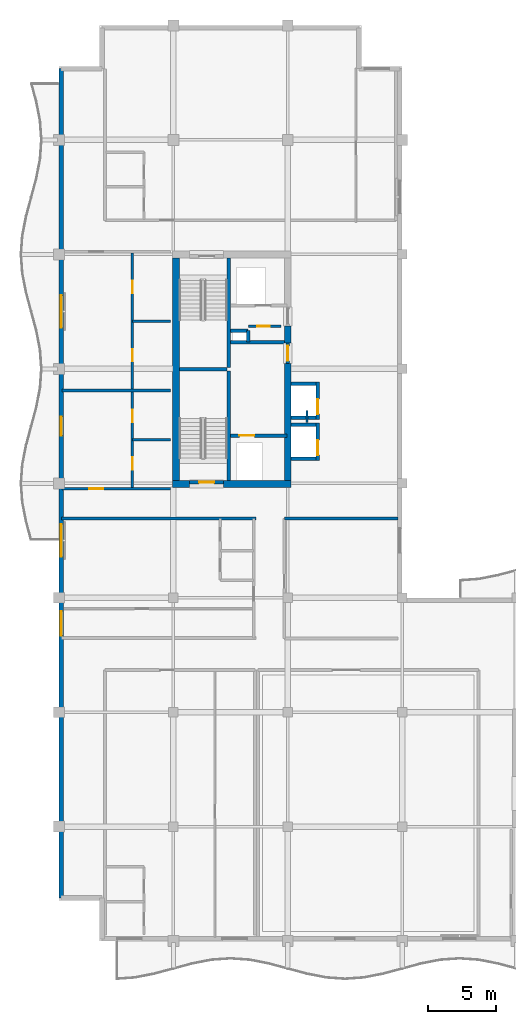
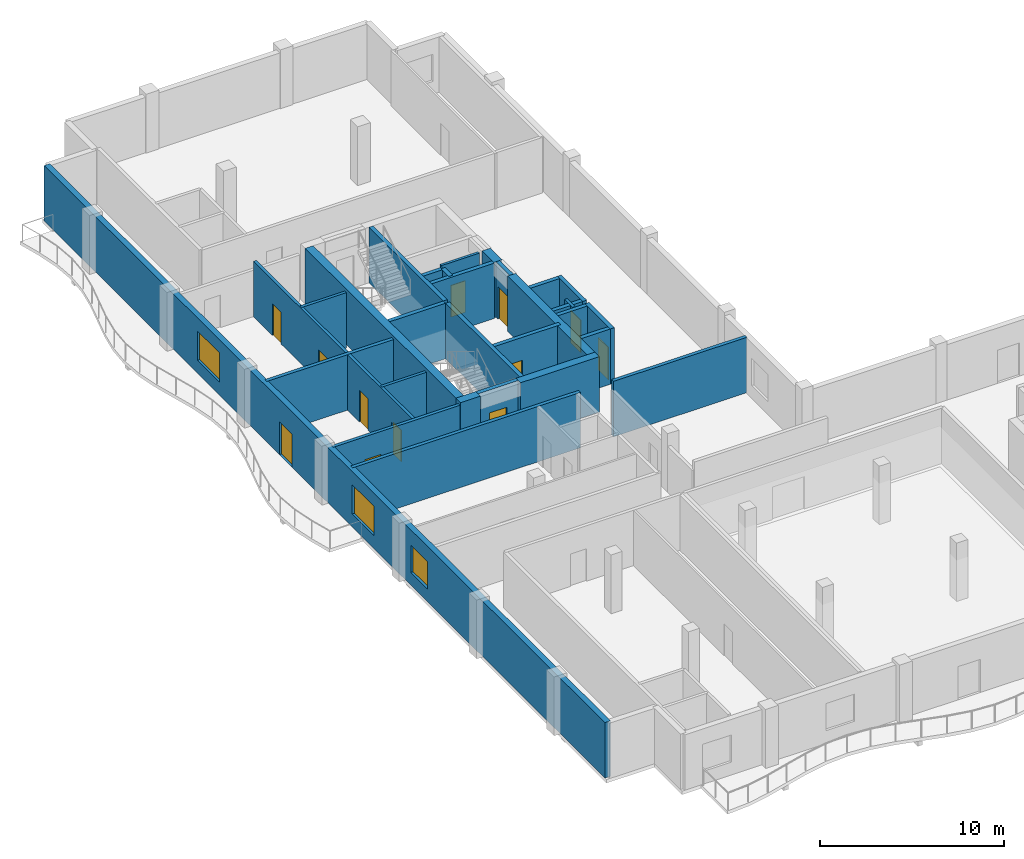
# One storey, part 8 of 14: 31 walls, 12 doors, 3 windows, 15 openings.
"""IFC4 building model written with IfcOpenShell, lengths in metres."""

from ifc_helpers import new_model, si_unit, direction, frame, frame_2d, origin, place, context, subcontext, project, spatial, rectangle, extrude, material, layer, layer_set, type_object, element, fill, save


model = new_model("IFC4")

# Units and contexts
model_context = context("Model", 3, precision=1e-05, world=origin(), true_north=direction((0.0, 1.0)))
body_context = subcontext(model_context, "Body", "Model", "MODEL_VIEW")
ifc_project = project(units=[si_unit("LENGTHUNIT", "METRE"), si_unit("AREAUNIT", "SQUARE_METRE"), si_unit("VOLUMEUNIT", "CUBIC_METRE"), si_unit("PLANEANGLEUNIT", "RADIAN"), si_unit("MASSUNIT", "GRAM", prefix="KILO")], contexts=[model_context])

# Site, building, storey
site_placement = place(None, origin())
site = spatial("IfcSite", under=ifc_project, at=site_placement, CompositionType="ELEMENT")
building_placement = place(site_placement, origin())
building = spatial("IfcBuilding", under=site, at=building_placement, Name="Koriwani Terraces Tower", CompositionType="ELEMENT")
storey_placement = place(building_placement, frame((0.0, 0.0, 339.800048828125)))
storey = spatial("IfcBuildingStorey", under=building, at=storey_placement, Name="L84", CompositionType="ELEMENT", Elevation=339.800048828125)

# Walls
ifc_material_1 = material(Name="Concrete C50/60", Category="concrete")
ifc_layer_1 = layer(ifc_material_1, 0.5, Name="Concrete C50/60")
ifc_layer_set_1 = layer_set([ifc_layer_1], Name="Concrete C50/60")
wall_type_1 = type_object("IfcWallType", Name="WALL_CORE_RC_500", PredefinedType="SHEAR", material=ifc_layer_set_1)
wall_1_placement = place(storey_placement, frame((16.75, 41.949951171875, 0.0), z_axis=(0.0, 0.0, 1.0), x_axis=(1.0, 0.0, 0.0)))
element("IfcWall", 1, at=wall_1_placement, inside=storey, type_object=wall_type_1, Name="L84 West Split Core Shear Wall S1", PredefinedType="SHEAR", context=body_context, shape_type="SweptSolid", body=[
    extrude(rectangle(XDim=1.25, YDim=0.5, at=frame_2d((0.625, 0.0))), origin(), (0.0, 0.0, 1.0), 3.669921875),
])
wall_2_placement = place(storey_placement, frame((20.5, 41.949951171875, 0.0), z_axis=(0.0, 0.0, 1.0), x_axis=(1.0, 0.0, 0.0)))
element("IfcWall", 2, at=wall_2_placement, inside=storey, type_object=wall_type_1, Name="L84 West Split Core Shear Wall S2", PredefinedType="SHEAR", context=body_context, shape_type="SweptSolid", body=[
    extrude(rectangle(XDim=4.949951171875, YDim=0.5, at=frame_2d((2.47509765625, 0.0))), origin(), (0.0, 0.0, 1.0), 3.669921875),
])
wall_3_placement = place(storey_placement, frame((17.0, 42.199951171875, 0.0), z_axis=(0.0, 0.0, 1.0), x_axis=(0.0, 1.0, 0.0)))
element("IfcWall", 3, at=wall_3_placement, inside=storey, type_object=wall_type_1, Name="L84 West Split Core Shear Wall W1", PredefinedType="SHEAR", context=body_context, shape_type="SweptSolid", body=[
    extrude(rectangle(XDim=16.35009765625, YDim=0.5, at=frame_2d((8.175048828125, 0.0))), origin(), (0.0, 0.0, 1.0), 3.669921875),
])
wall_4_placement = place(storey_placement, frame((25.199951171875, 42.199951171875, 0.0), z_axis=(0.0, 0.0, 1.0), x_axis=(0.0, 1.0, 0.0)))
element("IfcWall", 4, at=wall_4_placement, inside=storey, type_object=wall_type_1, Name="L84 West Split Core Shear Wall E1", PredefinedType="SHEAR", context=body_context, shape_type="SweptSolid", body=[
    extrude(rectangle(XDim=8.60009765625, YDim=0.5, at=frame_2d((4.300048828125, 0.0))), origin(), (0.0, 0.0, 1.0), 3.669921875),
])
wall_5_placement = place(storey_placement, frame((25.199951171875, 52.280029296875, 0.0), z_axis=(0.0, 0.0, 1.0), x_axis=(0.0, 1.0, 0.0)))
element("IfcWall", 5, at=wall_5_placement, inside=storey, type_object=wall_type_1, Name="L84 West Split Core Shear Wall E2", PredefinedType="SHEAR", context=body_context, shape_type="SweptSolid", body=[
    extrude(rectangle(XDim=1.27001953125, YDim=0.5, at=frame_2d((0.635009765625, 0.0))), origin(), (0.0, 0.0, 1.0), 3.669921875),
])

# Wall, opening, door
ifc_material_2 = material(Name="Autoclaved Cellular Concrete Blockwork", Category="masonry")
ifc_layer_2 = layer(ifc_material_2, 0.199951171875, Name="Autoclaved Cellular Concrete Blockwork")
ifc_layer_set_2 = layer_set([ifc_layer_2], Name="Autoclaved Cellular Concrete Blockwork")
wall_type_2 = type_object("IfcWallType", Name="WALL_CORRIDOR_200", PredefinedType="PARTITIONING", material=ifc_layer_set_2)
wall_6_placement = place(storey_placement, frame((8.64990234375, 41.60009765625, 0.0), z_axis=(0.0, 0.0, 1.0), x_axis=(1.0, 0.0, 0.0)))
wall_6 = element("IfcWall", 6, at=wall_6_placement, inside=storey, type_object=wall_type_2, Name="L84 Interior Wall WRZ4-WS-L84", PredefinedType="PARTITIONING", context=body_context, shape_type="SweptSolid", body=[
    extrude(rectangle(XDim=7.9501953125, YDim=0.199951171875, at=frame_2d((3.97509765625, 0.0))), origin(), (0.0, 0.0, 1.0), 3.669921875),
])
opening_1_placement = place(wall_6_placement, frame((2.0, 0.0, 0.0)))
opening_1 = element("IfcOpeningElement", 7, at=opening_1_placement, cuts=wall_6, Name="Opening D-05", PredefinedType="OPENING", context=body_context, shape_type="SweptSolid", body=[
    extrude(rectangle(XDim=1.0, YDim=2.14990234375, at=frame_2d((0.5, 1.074951171875))), frame((0.0, 0.10986328125, 0.0), z_axis=(0.0, -1.0, 0.0), x_axis=(1.0, 0.0, 0.0)), (0.0, 0.0, 1.0), 0.219970703125),
])
ifc_material_3 = material(Name="Architectural Oak Fire Door", Category="wood")
door_type_1 = type_object("IfcDoorType", Name="DOOR_SUITE_ENTRY_1000X2150", OperationType="NOTDEFINED", PredefinedType="DOOR", material=ifc_material_3)
door_1_placement = place(opening_1_placement, origin())
door_1 = element("IfcDoor", 8, at=door_1_placement, inside=storey, type_object=door_type_1, Name="Apartment 84RW1 Entrance Door", OperationType="SINGLE_SWING_LEFT", OverallHeight=2.14990234375, OverallWidth=1.0, PredefinedType="DOOR", context=body_context, shape_type="SweptSolid", body=[
    extrude(rectangle(XDim=1.0, YDim=2.14990234375, at=frame_2d((0.5, 1.074951171875))), frame((0.0, 0.02490234375, 0.0), z_axis=(0.0, -1.0, 0.0), x_axis=(1.0, 0.0, 0.0)), (0.0, 0.0, 1.0), 0.050048828125),
])
fill(opening_1, door_1)

# Walls
ifc_layer_3 = layer(ifc_material_2, 0.219970703125, Name="Autoclaved Cellular Concrete Blockwork")
ifc_layer_set_3 = layer_set([ifc_layer_3], Name="Autoclaved Cellular Concrete Blockwork")
wall_type_3 = type_object("IfcWallType", Name="WALL_DEMISING_220", PredefinedType="PARTITIONING", material=ifc_layer_set_3)
wall_7_placement = place(storey_placement, frame((24.949951171875, 39.39990234375, 0.0), z_axis=(0.0, 0.0, 1.0), x_axis=(1.0, 0.0, 0.0)))
element("IfcWall", 9, at=wall_7_placement, inside=storey, type_object=wall_type_3, Name="L84 Interior Wall WIC4WN-L84", PredefinedType="PARTITIONING", context=body_context, shape_type="SweptSolid", body=[
    extrude(rectangle(XDim=8.35009765625, YDim=0.219970703125, at=frame_2d((4.175048828125, 0.0))), origin(), (0.0, 0.0, 1.0), 3.669921875),
])
wall_8_placement = place(storey_placement, frame((8.64990234375, 48.800048828125, 0.0), z_axis=(0.0, 0.0, 1.0), x_axis=(1.0, 0.0, 0.0)))
element("IfcWall", 10, at=wall_8_placement, inside=storey, type_object=wall_type_3, Name="L84 Interior Wall WRZ4-WM-L84", PredefinedType="PARTITIONING", context=body_context, shape_type="SweptSolid", body=[
    extrude(rectangle(XDim=7.9501953125, YDim=0.219970703125, at=frame_2d((3.97509765625, 0.0))), origin(), (0.0, 0.0, 1.0), 3.669921875),
])
wall_9_placement = place(storey_placement, frame((8.60009765625, 39.39990234375, 0.0), z_axis=(0.0, 0.0, 1.0), x_axis=(1.0, 0.0, 0.0)))
element("IfcWall", 11, at=wall_9_placement, inside=storey, type_object=wall_type_3, Name="L84 Interior Wall WRDEME-L84-NE", PredefinedType="PARTITIONING", context=body_context, shape_type="SweptSolid", body=[
    extrude(rectangle(XDim=14.27978515625, YDim=0.219970703125, at=frame_2d((7.139892578125, 0.0))), origin(), (0.0, 0.0, 1.0), 3.669921875),
])

# Wall, openings, door, windows
ifc_layer_4 = layer(ifc_material_1, 0.35009765625, Name="Concrete C50/60")
ifc_layer_set_4 = layer_set([ifc_layer_4], Name="Concrete C50/60")
wall_type_4 = type_object("IfcWallType", Name="WALL_EXT_BRUTALIST_350", PredefinedType="STANDARD", material=ifc_layer_set_4)
wall_10_placement = place(storey_placement, frame((8.574951171875, 11.574951171875, 0.0), z_axis=(0.0, 0.0, 1.0), x_axis=(0.0, 1.0, 0.0)))
wall_10 = element("IfcWall", 12, at=wall_10_placement, inside=storey, type_object=wall_type_4, Name="L84 Fair-Faced Brutalist Exterior Wall (W)", PredefinedType="STANDARD", context=body_context, shape_type="SweptSolid", body=[
    extrude(rectangle(XDim=60.85009765625, YDim=0.35009765625, at=frame_2d((30.425048828125, 0.0))), origin(), (0.0, 0.0, 1.0), 3.669921875),
])
opening_2_placement = place(wall_10_placement, frame((33.925048828125, 0.0, 0.0)))
opening_2 = element("IfcOpeningElement", 13, at=opening_2_placement, cuts=wall_10, Name="Opening D-09", PredefinedType="OPENING", context=body_context, shape_type="SweptSolid", body=[
    extrude(rectangle(XDim=1.39990234375, YDim=2.199951171875, at=frame_2d((0.699951171875, 1.10009765625))), frame((0.0, 0.18505859375, 0.0), z_axis=(0.0, -1.0, 0.0), x_axis=(1.0, 0.0, 0.0)), (0.0, 0.0, 1.0), 0.3701171875),
])
opening_3_placement = place(wall_10_placement, frame((25.02490234375, 0.0, 0.85009765625)))
opening_3 = element("IfcOpeningElement", 14, at=opening_3_placement, cuts=wall_10, Name="Opening W-03", PredefinedType="OPENING", context=body_context, shape_type="SweptSolid", body=[
    extrude(rectangle(XDim=2.39990234375, YDim=1.949951171875, at=frame_2d((1.199951171875, 0.97509765625))), frame((0.0, 0.18505859375, 0.0), z_axis=(0.0, -1.0, 0.0), x_axis=(1.0, 0.0, 0.0)), (0.0, 0.0, 1.0), 0.3701171875),
])
opening_4_placement = place(wall_10_placement, frame((41.824951171875, 0.0, 0.85009765625)))
opening_4 = element("IfcOpeningElement", 15, at=opening_4_placement, cuts=wall_10, Name="Opening W-03", PredefinedType="OPENING", context=body_context, shape_type="SweptSolid", body=[
    extrude(rectangle(XDim=2.39990234375, YDim=1.949951171875, at=frame_2d((1.199951171875, 0.97509765625))), frame((0.0, 0.18505859375, 0.0), z_axis=(0.0, -1.0, 0.0), x_axis=(1.0, 0.0, 0.0)), (0.0, 0.0, 1.0), 0.3701171875),
])
opening_5_placement = place(wall_10_placement, frame((19.25, 0.0, 0.85009765625)))
opening_5 = element("IfcOpeningElement", 16, at=opening_5_placement, cuts=wall_10, Name="Opening W-04", PredefinedType="OPENING", context=body_context, shape_type="SweptSolid", body=[
    extrude(rectangle(XDim=1.800048828125, YDim=1.800048828125, at=frame_2d((0.89990234375, 0.89990234375))), frame((0.0, 0.18505859375, 0.0), z_axis=(0.0, -1.0, 0.0), x_axis=(1.0, 0.0, 0.0)), (0.0, 0.0, 1.0), 0.3701171875),
])
ifc_material_4 = material(Name="Anodised Bronze Aluminium", Category="aluminium")
door_type_2 = type_object("IfcDoorType", Name="DOOR_BALCONY_GLAZED_1400X2200", OperationType="NOTDEFINED", PredefinedType="DOOR", material=ifc_material_4)
door_2_placement = place(opening_2_placement, origin())
door_2 = element("IfcDoor", 17, at=door_2_placement, inside=storey, type_object=door_type_2, Name="L84 West Balcony Glazed Door", OperationType="SINGLE_SWING_LEFT", OverallHeight=2.199951171875, OverallWidth=1.39990234375, PredefinedType="DOOR", context=body_context, shape_type="SweptSolid", body=[
    extrude(rectangle(XDim=1.39990234375, YDim=2.199951171875, at=frame_2d((0.699951171875, 1.10009765625))), frame((0.0, 0.02490234375, 0.0), z_axis=(0.0, -1.0, 0.0), x_axis=(1.0, 0.0, 0.0)), (0.0, 0.0, 1.0), 0.050048828125),
])
fill(opening_2, door_2)
ifc_material_5 = material(Name="Tempered Laminated Low-E Glass", Category="glass")
window_type_1 = type_object("IfcWindowType", Name="WIN_RES_BED_1800X1800", PartitioningType="DOUBLE_PANEL_VERTICAL", PredefinedType="WINDOW", material=ifc_material_5)
window_1_placement = place(opening_5_placement, origin())
window_1 = element("IfcWindow", 18, at=window_1_placement, inside=storey, type_object=window_type_1, Name="L84 Exterior Window (W-R37)", OverallHeight=1.800048828125, OverallWidth=1.800048828125, PartitioningType="SINGLE_PANEL", PredefinedType="WINDOW", context=body_context, shape_type="SweptSolid", body=[
    extrude(rectangle(XDim=1.800048828125, YDim=1.800048828125, at=frame_2d((0.89990234375, 0.89990234375))), frame((0.0, 0.030029296875, 0.0), z_axis=(0.0, -1.0, 0.0), x_axis=(1.0, 0.0, 0.0)), (0.0, 0.0, 1.0), 0.06005859375),
])
fill(opening_5, window_1)
window_type_2 = type_object("IfcWindowType", Name="WIN_RES_LIVING_2400X1950", PartitioningType="DOUBLE_PANEL_VERTICAL", PredefinedType="WINDOW", material=ifc_material_5)
window_2_placement = place(opening_3_placement, origin())
window_2 = element("IfcWindow", 19, at=window_2_placement, inside=storey, type_object=window_type_2, Name="L84 Exterior Window (W-9)", OverallHeight=1.949951171875, OverallWidth=2.39990234375, PartitioningType="SINGLE_PANEL", PredefinedType="WINDOW", context=body_context, shape_type="SweptSolid", body=[
    extrude(rectangle(XDim=2.39990234375, YDim=1.949951171875, at=frame_2d((1.199951171875, 0.97509765625))), frame((0.0, 0.030029296875, 0.0), z_axis=(0.0, -1.0, 0.0), x_axis=(1.0, 0.0, 0.0)), (0.0, 0.0, 1.0), 0.06005859375),
])
fill(opening_3, window_2)
window_3_placement = place(opening_4_placement, origin())
window_3 = element("IfcWindow", 20, at=window_3_placement, inside=storey, type_object=window_type_2, Name="L84 Exterior Window (W-15)", OverallHeight=1.949951171875, OverallWidth=2.39990234375, PartitioningType="SINGLE_PANEL", PredefinedType="WINDOW", context=body_context, shape_type="SweptSolid", body=[
    extrude(rectangle(XDim=2.39990234375, YDim=1.949951171875, at=frame_2d((1.199951171875, 0.97509765625))), frame((0.0, 0.030029296875, 0.0), z_axis=(0.0, -1.0, 0.0), x_axis=(1.0, 0.0, 0.0)), (0.0, 0.0, 1.0), 0.06005859375),
])
fill(opening_4, window_3)

# Wall, openings, doors
ifc_material_6 = material(Name="Fire-Rated Acoustic Gypsum Partition", Category="masonry")
ifc_layer_5 = layer(ifc_material_6, 0.179931640625, Name="Fire-Rated Acoustic Gypsum Partition")
ifc_layer_set_5 = layer_set([ifc_layer_5], Name="Fire-Rated Acoustic Gypsum Partition")
wall_type_5 = type_object("IfcWallType", Name="WALL_PLUMBING_180", PredefinedType="PLUMBINGWALL", material=ifc_layer_set_5)
wall_11_placement = place(storey_placement, frame((13.800048828125, 41.699951171875, 0.0), z_axis=(0.0, 0.0, 1.0), x_axis=(0.0, 1.0, 0.0)))
wall_11 = element("IfcWall", 21, at=wall_11_placement, inside=storey, type_object=wall_type_5, Name="L84 Interior Wall WRZ4-RW1-PB-L84", PredefinedType="PLUMBINGWALL", context=body_context, shape_type="SweptSolid", body=[
    extrude(rectangle(XDim=7.0, YDim=0.179931640625, at=frame_2d((3.5, 0.0))), origin(), (0.0, 0.0, 1.0), 3.669921875),
])
opening_6_placement = place(wall_11_placement, frame((1.300048828125, 0.0, 0.0)))
opening_6 = element("IfcOpeningElement", 22, at=opening_6_placement, cuts=wall_11, Name="Opening D-07", PredefinedType="OPENING", context=body_context, shape_type="SweptSolid", body=[
    extrude(rectangle(XDim=0.89990234375, YDim=2.10009765625, at=frame_2d((0.449951171875, 1.050048828125))), frame((0.0, 0.10009765625, 0.0), z_axis=(0.0, -1.0, 0.0), x_axis=(1.0, 0.0, 0.0)), (0.0, 0.0, 1.0), 0.199951171875),
])
opening_7_placement = place(wall_11_placement, frame((4.7900390625, 0.0, 0.0)))
opening_7 = element("IfcOpeningElement", 23, at=opening_7_placement, cuts=wall_11, Name="Opening D-06", PredefinedType="OPENING", context=body_context, shape_type="SweptSolid", body=[
    extrude(rectangle(XDim=0.919921875, YDim=2.10009765625, at=frame_2d((0.4599609375, 1.050048828125))), frame((0.0, 0.10009765625, 0.0), z_axis=(0.0, -1.0, 0.0), x_axis=(1.0, 0.0, 0.0)), (0.0, 0.0, 1.0), 0.199951171875),
])
door_type_3 = type_object("IfcDoorType", Name="DOOR_BATH_INT_900X2100", OperationType="NOTDEFINED", PredefinedType="DOOR", material=ifc_material_3)
door_3_placement = place(opening_6_placement, origin())
door_3 = element("IfcDoor", 24, at=door_3_placement, inside=storey, type_object=door_type_3, Name="Apartment 84RW1 Bathroom Door", OperationType="SINGLE_SWING_LEFT", OverallHeight=2.10009765625, OverallWidth=0.89990234375, PredefinedType="DOOR", context=body_context, shape_type="SweptSolid", body=[
    extrude(rectangle(XDim=0.89990234375, YDim=2.10009765625, at=frame_2d((0.449951171875, 1.050048828125))), frame((0.0, 0.02490234375, 0.0), z_axis=(0.0, -1.0, 0.0), x_axis=(1.0, 0.0, 0.0)), (0.0, 0.0, 1.0), 0.050048828125),
])
fill(opening_6, door_3)
door_type_4 = type_object("IfcDoorType", Name="DOOR_ROOM_INT_920X2100", OperationType="NOTDEFINED", PredefinedType="DOOR", material=ifc_material_3)
door_4_placement = place(opening_7_placement, origin())
door_4 = element("IfcDoor", 25, at=door_4_placement, inside=storey, type_object=door_type_4, Name="Apartment 84RW1 Kitchen Door", OperationType="SINGLE_SWING_RIGHT", OverallHeight=2.10009765625, OverallWidth=0.919921875, PredefinedType="DOOR", context=body_context, shape_type="SweptSolid", body=[
    extrude(rectangle(XDim=0.919921875, YDim=2.10009765625, at=frame_2d((0.4599609375, 1.050048828125))), frame((0.0, 0.02490234375, 0.0), z_axis=(0.0, -1.0, 0.0), x_axis=(1.0, 0.0, 0.0)), (0.0, 0.0, 1.0), 0.050048828125),
])
fill(opening_7, door_4)

# Wall
wall_12_placement = place(storey_placement, frame((13.800048828125, 45.199951171875, 0.0), z_axis=(0.0, 0.0, 1.0), x_axis=(1.0, 0.0, 0.0)))
element("IfcWall", 26, at=wall_12_placement, inside=storey, type_object=wall_type_5, Name="L84 Interior Wall WRZ4-RW1-P2-L84", PredefinedType="PLUMBINGWALL", context=body_context, shape_type="SweptSolid", body=[
    extrude(rectangle(XDim=2.800048828125, YDim=0.179931640625, at=frame_2d((1.39990234375, 0.0))), origin(), (0.0, 0.0, 1.0), 3.669921875),
])

# Wall, openings, doors
wall_13_placement = place(storey_placement, frame((13.800048828125, 48.89990234375, 0.0), z_axis=(0.0, 0.0, 1.0), x_axis=(0.0, 1.0, 0.0)))
wall_13 = element("IfcWall", 27, at=wall_13_placement, inside=storey, type_object=wall_type_5, Name="L84 Interior Wall WRZ4-RW2-PB-L84", PredefinedType="PLUMBINGWALL", context=body_context, shape_type="SweptSolid", body=[
    extrude(rectangle(XDim=10.0, YDim=0.179931640625, at=frame_2d((5.0, 0.0))), origin(), (0.0, 0.0, 1.0), 3.669921875),
])
opening_8_placement = place(wall_13_placement, frame((2.050048828125, 0.0, 0.0)))
opening_8 = element("IfcOpeningElement", 28, at=opening_8_placement, cuts=wall_13, Name="Opening D-07", PredefinedType="OPENING", context=body_context, shape_type="SweptSolid", body=[
    extrude(rectangle(XDim=0.89990234375, YDim=2.10009765625, at=frame_2d((0.449951171875, 1.050048828125))), frame((0.0, 0.10009765625, 0.0), z_axis=(0.0, -1.0, 0.0), x_axis=(1.0, 0.0, 0.0)), (0.0, 0.0, 1.0), 0.199951171875),
])
opening_9_placement = place(wall_13_placement, frame((7.0400390625, 0.0, 0.0)))
opening_9 = element("IfcOpeningElement", 29, at=opening_9_placement, cuts=wall_13, Name="Opening D-06", PredefinedType="OPENING", context=body_context, shape_type="SweptSolid", body=[
    extrude(rectangle(XDim=0.919921875, YDim=2.10009765625, at=frame_2d((0.4599609375, 1.050048828125))), frame((0.0, 0.10009765625, 0.0), z_axis=(0.0, -1.0, 0.0), x_axis=(1.0, 0.0, 0.0)), (0.0, 0.0, 1.0), 0.199951171875),
])
door_5_placement = place(opening_8_placement, origin())
door_5 = element("IfcDoor", 30, at=door_5_placement, inside=storey, type_object=door_type_3, Name="Apartment 84RW2 Bathroom Door", OperationType="SINGLE_SWING_LEFT", OverallHeight=2.10009765625, OverallWidth=0.89990234375, PredefinedType="DOOR", context=body_context, shape_type="SweptSolid", body=[
    extrude(rectangle(XDim=0.89990234375, YDim=2.10009765625, at=frame_2d((0.449951171875, 1.050048828125))), frame((0.0, 0.02490234375, 0.0), z_axis=(0.0, -1.0, 0.0), x_axis=(1.0, 0.0, 0.0)), (0.0, 0.0, 1.0), 0.050048828125),
])
fill(opening_8, door_5)
door_6_placement = place(opening_9_placement, origin())
door_6 = element("IfcDoor", 31, at=door_6_placement, inside=storey, type_object=door_type_4, Name="Apartment 84RW2 Kitchen Door", OperationType="SINGLE_SWING_RIGHT", OverallHeight=2.10009765625, OverallWidth=0.919921875, PredefinedType="DOOR", context=body_context, shape_type="SweptSolid", body=[
    extrude(rectangle(XDim=0.919921875, YDim=2.10009765625, at=frame_2d((0.4599609375, 1.050048828125))), frame((0.0, 0.02490234375, 0.0), z_axis=(0.0, -1.0, 0.0), x_axis=(1.0, 0.0, 0.0)), (0.0, 0.0, 1.0), 0.050048828125),
])
fill(opening_9, door_6)

# Walls
wall_14_placement = place(storey_placement, frame((13.800048828125, 53.89990234375, 0.0), z_axis=(0.0, 0.0, 1.0), x_axis=(1.0, 0.0, 0.0)))
element("IfcWall", 32, at=wall_14_placement, inside=storey, type_object=wall_type_5, Name="L84 Interior Wall WRZ4-RW2-P2-L84", PredefinedType="PLUMBINGWALL", context=body_context, shape_type="SweptSolid", body=[
    extrude(rectangle(XDim=2.800048828125, YDim=0.179931640625, at=frame_2d((1.39990234375, 0.0))), origin(), (0.0, 0.0, 1.0), 3.669921875),
])
ifc_material_7 = material(Name="Concrete C40/50", Category="concrete")
ifc_layer_6 = layer(ifc_material_7, 0.25, Name="Concrete C40/50")
ifc_layer_set_6 = layer_set([ifc_layer_6], Name="Concrete C40/50")
wall_type_6 = type_object("IfcWallType", Name="WALL_SHAFT_RATED_250", PredefinedType="SOLIDWALL", material=ifc_layer_set_6)
for number, where, z_axis, x_axis, name in (
    (33, (20.875, 42.199951171875, 0.0), (0.0, 0.0, 1.0), (0.0, 1.0, 0.0), "L84 West Split Core Web Wall MID1"),
    (34, (20.875, 50.5, 0.0), (0.0, 0.0, 1.0), (0.0, 1.0, 0.0), "L84 West Split Core Web Wall MID2"),
):
    element("IfcWall", number, at=place(storey_placement, frame(where, z_axis=z_axis, x_axis=x_axis)), inside=storey, type_object=wall_type_6, Name=name, PredefinedType="SOLIDWALL", context=body_context, shape_type="SweptSolid", body=[
        extrude(rectangle(XDim=8.050048828125, YDim=0.25, at=frame_2d((4.02490234375, 0.0))), origin(), (0.0, 0.0, 1.0), 3.669921875),
    ])
wall_15_placement = place(storey_placement, frame((17.25, 50.375, 0.0), z_axis=(0.0, 0.0, 1.0), x_axis=(1.0, 0.0, 0.0)))
element("IfcWall", 35, at=wall_15_placement, inside=storey, type_object=wall_type_6, Name="L84 West Split Core Stair Dividing Wall", PredefinedType="SOLIDWALL", context=body_context, shape_type="SweptSolid", body=[
    extrude(rectangle(XDim=3.5, YDim=0.25, at=frame_2d((1.75, 0.0))), origin(), (0.0, 0.0, 1.0), 3.669921875),
])

# Wall, opening, door
wall_16_placement = place(storey_placement, frame((18.0, 42.074951171875, 0.0), z_axis=(0.0, 0.0, 1.0), x_axis=(1.0, 0.0, 0.0)))
wall_16 = element("IfcWall", 36, at=wall_16_placement, inside=storey, type_object=wall_type_6, Name="L84 Interior Wall WIN-CW-L84-STS", PredefinedType="SOLIDWALL", context=body_context, shape_type="SweptSolid", body=[
    extrude(rectangle(XDim=2.5, YDim=0.25, at=frame_2d((1.25, 0.0))), origin(), (0.0, 0.0, 1.0), 3.669921875),
])
opening_10_placement = place(wall_16_placement, frame((0.699951171875, 0.0, 0.0)))
opening_10 = element("IfcOpeningElement", 37, at=opening_10_placement, cuts=wall_16, Name="Opening D-03", PredefinedType="OPENING", context=body_context, shape_type="SweptSolid", body=[
    extrude(rectangle(XDim=1.10009765625, YDim=2.14990234375, at=frame_2d((0.550048828125, 1.074951171875))), frame((0.0, 0.135009765625, 0.0), z_axis=(0.0, -1.0, 0.0), x_axis=(1.0, 0.0, 0.0)), (0.0, 0.0, 1.0), 0.27001953125),
])
ifc_material_8 = material(Name="Steel ASTM A572 Grade 50", Category="steel")
door_type_5 = type_object("IfcDoorType", Name="DOOR_STAIR_FIRE_1100X2150", OperationType="NOTDEFINED", PredefinedType="DOOR", material=ifc_material_8)
door_7_placement = place(opening_10_placement, origin())
door_7 = element("IfcDoor", 38, at=door_7_placement, inside=storey, type_object=door_type_5, Name="L84 Exit Stair ST-W1 Door", OperationType="SINGLE_SWING_RIGHT", OverallHeight=2.14990234375, OverallWidth=1.10009765625, PredefinedType="DOOR", context=body_context, shape_type="SweptSolid", body=[
    extrude(rectangle(XDim=1.10009765625, YDim=2.14990234375, at=frame_2d((0.550048828125, 1.074951171875))), frame((0.0, 0.02490234375, 0.0), z_axis=(0.0, -1.0, 0.0), x_axis=(1.0, 0.0, 0.0)), (0.0, 0.0, 1.0), 0.050048828125),
])
fill(opening_10, door_7)

wall_17_placement = place(storey_placement, frame((21.0, 45.5, 0.0), z_axis=(0.0, 0.0, 1.0), x_axis=(1.0, 0.0, 0.0)))
wall_17 = element("IfcWall", 39, at=wall_17_placement, inside=storey, type_object=wall_type_6, Name="L84 Interior Wall WIN-CW-L84-FE", PredefinedType="SOLIDWALL", context=body_context, shape_type="SweptSolid", body=[
    extrude(rectangle(XDim=4.14990234375, YDim=0.25, at=frame_2d((2.074951171875, 0.0))), origin(), (0.0, 0.0, 1.0), 3.669921875),
])
opening_11_placement = place(wall_17_placement, frame((0.64990234375, 0.0, 0.0)))
opening_11 = element("IfcOpeningElement", 40, at=opening_11_placement, cuts=wall_17, Name="Opening LD-01", PredefinedType="OPENING", context=body_context, shape_type="SweptSolid", body=[
    extrude(rectangle(XDim=1.10009765625, YDim=2.14990234375, at=frame_2d((0.550048828125, 1.074951171875))), frame((0.0, 0.135009765625, 0.0), z_axis=(0.0, -1.0, 0.0), x_axis=(1.0, 0.0, 0.0)), (0.0, 0.0, 1.0), 0.27001953125),
])
door_type_6 = type_object("IfcDoorType", Name="DOOR_LIFT_LANDING_1100X2200", OperationType="NOTDEFINED", PredefinedType="DOOR", material=ifc_material_8)
door_8_placement = place(opening_11_placement, origin())
door_8 = element("IfcDoor", 41, at=door_8_placement, inside=storey, type_object=door_type_6, Name="L84 Firefighting Lift FE-01 Landing Door", OperationType="SLIDING_TO_LEFT", OverallHeight=2.14990234375, OverallWidth=1.10009765625, PredefinedType="DOOR", context=body_context, shape_type="SweptSolid", body=[
    extrude(rectangle(XDim=1.10009765625, YDim=2.14990234375, at=frame_2d((0.550048828125, 1.074951171875))), frame((0.0, 0.02490234375, 0.0), z_axis=(0.0, -1.0, 0.0), x_axis=(1.0, 0.0, 0.0)), (0.0, 0.0, 1.0), 0.050048828125),
])
fill(opening_11, door_8)

wall_18_placement = place(storey_placement, frame((25.199951171875, 50.800048828125, 0.0), z_axis=(0.0, 0.0, 1.0), x_axis=(0.0, 1.0, 0.0)))
wall_18 = element("IfcWall", 42, at=wall_18_placement, inside=storey, type_object=wall_type_6, Name="L84 Interior Wall WIN-CW-L84-EP", PredefinedType="SOLIDWALL", context=body_context, shape_type="SweptSolid", body=[
    extrude(rectangle(XDim=1.47998046875, YDim=0.25, at=frame_2d((0.739990234375, 0.0))), origin(), (0.0, 0.0, 1.0), 3.669921875),
])
opening_12_placement = place(wall_18_placement, frame((0.179931640625, 0.0, 0.0)))
opening_12 = element("IfcOpeningElement", 43, at=opening_12_placement, cuts=wall_18, Name="Opening D-03", PredefinedType="OPENING", context=body_context, shape_type="SweptSolid", body=[
    extrude(rectangle(XDim=1.10009765625, YDim=2.14990234375, at=frame_2d((0.550048828125, 1.074951171875))), frame((0.0, 0.135009765625, 0.0), z_axis=(0.0, -1.0, 0.0), x_axis=(1.0, 0.0, 0.0)), (0.0, 0.0, 1.0), 0.27001953125),
])
door_9_placement = place(opening_12_placement, origin())
door_9 = element("IfcDoor", 44, at=door_9_placement, inside=storey, type_object=door_type_5, Name="L84 West Firefighting Lobby Door", OperationType="SINGLE_SWING_RIGHT", OverallHeight=2.14990234375, OverallWidth=1.10009765625, PredefinedType="DOOR", context=body_context, shape_type="SweptSolid", body=[
    extrude(rectangle(XDim=1.10009765625, YDim=2.14990234375, at=frame_2d((0.550048828125, 1.074951171875))), frame((0.0, 0.02490234375, 0.0), z_axis=(0.0, -1.0, 0.0), x_axis=(1.0, 0.0, 0.0)), (0.0, 0.0, 1.0), 0.050048828125),
])
fill(opening_12, door_9)

# Walls
wall_19_placement = place(storey_placement, frame((21.0, 52.340087890625, 0.0), z_axis=(0.0, 0.0, 1.0), x_axis=(1.0, 0.0, 0.0)))
element("IfcWall", 45, at=wall_19_placement, inside=storey, type_object=wall_type_6, Name="L84 Interior Wall WIN-CW-L84-FFN", PredefinedType="SOLIDWALL", context=body_context, shape_type="SweptSolid", body=[
    extrude(rectangle(XDim=3.949951171875, YDim=0.25, at=frame_2d((1.97509765625, 0.0))), origin(), (0.0, 0.0, 1.0), 3.669921875),
])
wall_20_placement = place(storey_placement, frame((21.0, 53.199951171875, 0.0), z_axis=(0.0, 0.0, 1.0), x_axis=(1.0, 0.0, 0.0)))
element("IfcWall", 46, at=wall_20_placement, inside=storey, type_object=wall_type_6, Name="L84 Interior Wall WIN-CW-L84-RS1", PredefinedType="SOLIDWALL", context=body_context, shape_type="SweptSolid", body=[
    extrude(rectangle(XDim=1.300048828125, YDim=0.25, at=frame_2d((0.64990234375, 0.0))), origin(), (0.0, 0.0, 1.0), 3.669921875),
])
wall_21_placement = place(storey_placement, frame((22.300048828125, 52.360107421875, 0.0), z_axis=(0.0, 0.0, 1.0), x_axis=(0.0, 1.0, 0.0)))
element("IfcWall", 47, at=wall_21_placement, inside=storey, type_object=wall_type_6, Name="L84 Interior Wall WIN-CW-L84-RS2", PredefinedType="SOLIDWALL", context=body_context, shape_type="SweptSolid", body=[
    extrude(rectangle(XDim=0.83984375, YDim=0.25, at=frame_2d((0.419921875, 0.0))), origin(), (0.0, 0.0, 1.0), 3.669921875),
])

# Wall, opening, door
wall_22_placement = place(storey_placement, frame((27.39990234375, 43.675048828125, 0.0), z_axis=(0.0, 0.0, 1.0), x_axis=(0.0, 1.0, 0.0)))
wall_22 = element("IfcWall", 48, at=wall_22_placement, inside=storey, type_object=wall_type_6, Name="L84 Interior Wall WIN-LF-PE-H1-L84-F", PredefinedType="SOLIDWALL", context=body_context, shape_type="SweptSolid", body=[
    extrude(rectangle(XDim=2.75, YDim=0.25, at=frame_2d((1.375, 0.0))), origin(), (0.0, 0.0, 1.0), 3.669921875),
])
opening_13_placement = place(wall_22_placement, frame((0.39990234375, 0.0, 0.0)))
opening_13 = element("IfcOpeningElement", 49, at=opening_13_placement, cuts=wall_22, Name="Opening LD-01", PredefinedType="OPENING", context=body_context, shape_type="SweptSolid", body=[
    extrude(rectangle(XDim=1.10009765625, YDim=2.14990234375, at=frame_2d((0.550048828125, 1.074951171875))), frame((0.0, 0.135009765625, 0.0), z_axis=(0.0, -1.0, 0.0), x_axis=(1.0, 0.0, 0.0)), (0.0, 0.0, 1.0), 0.27001953125),
])
door_10_placement = place(opening_13_placement, origin())
door_10 = element("IfcDoor", 50, at=door_10_placement, inside=storey, type_object=door_type_6, Name="L84 Passenger Lift PE-H1 Landing Door", OperationType="SLIDING_TO_LEFT", OverallHeight=2.14990234375, OverallWidth=1.10009765625, PredefinedType="DOOR", context=body_context, shape_type="SweptSolid", body=[
    extrude(rectangle(XDim=1.10009765625, YDim=2.14990234375, at=frame_2d((0.550048828125, 1.074951171875))), frame((0.0, 0.02490234375, 0.0), z_axis=(0.0, -1.0, 0.0), x_axis=(1.0, 0.0, 0.0)), (0.0, 0.0, 1.0), 0.050048828125),
])
fill(opening_13, door_10)

# Walls
for number, where, z_axis, x_axis, name in (
    (51, (25.449951171875, 43.800048828125, 0.0), (0.0, 0.0, 1.0), (1.0, 0.0, 0.0), "L84 Interior Wall WIN-LF-PE-H1-L84-S"),
    (52, (25.449951171875, 46.300048828125, 0.0), (0.0, 0.0, 1.0), (1.0, 0.0, 0.0), "L84 Interior Wall WIN-LF-PE-H1-L84-N"),
):
    element("IfcWall", number, at=place(storey_placement, frame(where, z_axis=z_axis, x_axis=x_axis)), inside=storey, type_object=wall_type_6, Name=name, PredefinedType="SOLIDWALL", context=body_context, shape_type="SweptSolid", body=[
        extrude(rectangle(XDim=1.824951171875, YDim=0.25, at=frame_2d((0.91259765625, 0.0))), origin(), (0.0, 0.0, 1.0), 3.669921875),
    ])

# Wall, opening, door
wall_23_placement = place(storey_placement, frame((27.39990234375, 46.675048828125, 0.0), z_axis=(0.0, 0.0, 1.0), x_axis=(0.0, 1.0, 0.0)))
wall_23 = element("IfcWall", 53, at=wall_23_placement, inside=storey, type_object=wall_type_6, Name="L84 Interior Wall WIN-LF-PE-H2-L84-F", PredefinedType="SOLIDWALL", context=body_context, shape_type="SweptSolid", body=[
    extrude(rectangle(XDim=2.75, YDim=0.25, at=frame_2d((1.375, 0.0))), origin(), (0.0, 0.0, 1.0), 3.669921875),
])
opening_14_placement = place(wall_23_placement, frame((0.39990234375, 0.0, 0.0)))
opening_14 = element("IfcOpeningElement", 54, at=opening_14_placement, cuts=wall_23, Name="Opening LD-01", PredefinedType="OPENING", context=body_context, shape_type="SweptSolid", body=[
    extrude(rectangle(XDim=1.10009765625, YDim=2.14990234375, at=frame_2d((0.550048828125, 1.074951171875))), frame((0.0, 0.135009765625, 0.0), z_axis=(0.0, -1.0, 0.0), x_axis=(1.0, 0.0, 0.0)), (0.0, 0.0, 1.0), 0.27001953125),
])
door_11_placement = place(opening_14_placement, origin())
door_11 = element("IfcDoor", 55, at=door_11_placement, inside=storey, type_object=door_type_6, Name="L84 Passenger Lift PE-H2 Landing Door", OperationType="SLIDING_TO_LEFT", OverallHeight=2.14990234375, OverallWidth=1.10009765625, PredefinedType="DOOR", context=body_context, shape_type="SweptSolid", body=[
    extrude(rectangle(XDim=1.10009765625, YDim=2.14990234375, at=frame_2d((0.550048828125, 1.074951171875))), frame((0.0, 0.02490234375, 0.0), z_axis=(0.0, -1.0, 0.0), x_axis=(1.0, 0.0, 0.0)), (0.0, 0.0, 1.0), 0.050048828125),
])
fill(opening_14, door_11)

# Walls
for number, where, z_axis, x_axis, name in (
    (56, (25.449951171875, 46.800048828125, 0.0), (0.0, 0.0, 1.0), (1.0, 0.0, 0.0), "L84 Interior Wall WIN-LF-PE-H2-L84-S"),
    (57, (25.449951171875, 49.300048828125, 0.0), (0.0, 0.0, 1.0), (1.0, 0.0, 0.0), "L84 Interior Wall WIN-LF-PE-H2-L84-N"),
):
    element("IfcWall", number, at=place(storey_placement, frame(where, z_axis=z_axis, x_axis=x_axis)), inside=storey, type_object=wall_type_6, Name=name, PredefinedType="SOLIDWALL", context=body_context, shape_type="SweptSolid", body=[
        extrude(rectangle(XDim=1.824951171875, YDim=0.25, at=frame_2d((0.91259765625, 0.0))), origin(), (0.0, 0.0, 1.0), 3.669921875),
    ])

# Wall, opening, door
ifc_layer_7 = layer(ifc_material_6, 0.159912109375, Name="Fire-Rated Acoustic Gypsum Partition")
ifc_layer_set_7 = layer_set([ifc_layer_7], Name="Fire-Rated Acoustic Gypsum Partition")
wall_type_7 = type_object("IfcWallType", Name="WALL_SUITE_160", PredefinedType="PARTITIONING", material=ifc_layer_set_7)
wall_24_placement = place(storey_placement, frame((22.320068359375, 53.52001953125, 0.0), z_axis=(0.0, 0.0, 1.0), x_axis=(1.0, 0.0, 0.0)))
wall_24 = element("IfcWall", 58, at=wall_24_placement, inside=storey, type_object=wall_type_7, Name="L84 Interior Wall WIN-CW-L84-SV0", PredefinedType="PARTITIONING", context=body_context, shape_type="SweptSolid", body=[
    extrude(rectangle(XDim=2.39990234375, YDim=0.159912109375, at=frame_2d((1.199951171875, 0.0))), origin(), (0.0, 0.0, 1.0), 3.669921875),
])
opening_15_placement = place(wall_24_placement, frame((0.64990234375, 0.0, 0.0)))
opening_15 = element("IfcOpeningElement", 59, at=opening_15_placement, cuts=wall_24, Name="Opening D-07", PredefinedType="OPENING", context=body_context, shape_type="SweptSolid", body=[
    extrude(rectangle(XDim=0.89990234375, YDim=2.10009765625, at=frame_2d((0.449951171875, 1.050048828125))), frame((0.0, 0.08984375, 0.0), z_axis=(0.0, -1.0, 0.0), x_axis=(1.0, 0.0, 0.0)), (0.0, 0.0, 1.0), 0.179931640625),
])
door_12_placement = place(opening_15_placement, origin())
door_12 = element("IfcDoor", 60, at=door_12_placement, inside=storey, type_object=door_type_3, Name="L84 West Electrical Switch Room Door", OperationType="SINGLE_SWING_RIGHT", OverallHeight=2.10009765625, OverallWidth=0.89990234375, PredefinedType="DOOR", context=body_context, shape_type="SweptSolid", body=[
    extrude(rectangle(XDim=0.89990234375, YDim=2.10009765625, at=frame_2d((0.449951171875, 1.050048828125))), frame((0.0, 0.02490234375, 0.0), z_axis=(0.0, -1.0, 0.0), x_axis=(1.0, 0.0, 0.0)), (0.0, 0.0, 1.0), 0.050048828125),
])
fill(opening_15, door_12)

# Wall
wall_25_placement = place(storey_placement, frame((26.60009765625, 46.4599609375, 0.0), z_axis=(0.0, 0.0, 1.0), x_axis=(0.0, 1.0, 0.0)))
element("IfcWall", 61, at=wall_25_placement, inside=storey, type_object=wall_type_7, Name="L84 Interior Wall WIN-LF-PEH12-MID-L84", PredefinedType="PARTITIONING", context=body_context, shape_type="SweptSolid", body=[
    extrude(rectangle(XDim=0.880126953125, YDim=0.159912109375, at=frame_2d((0.43994140625, 0.0))), origin(), (0.0, 0.0, 1.0), 3.669921875),
])

save(model, "model.ifc")
